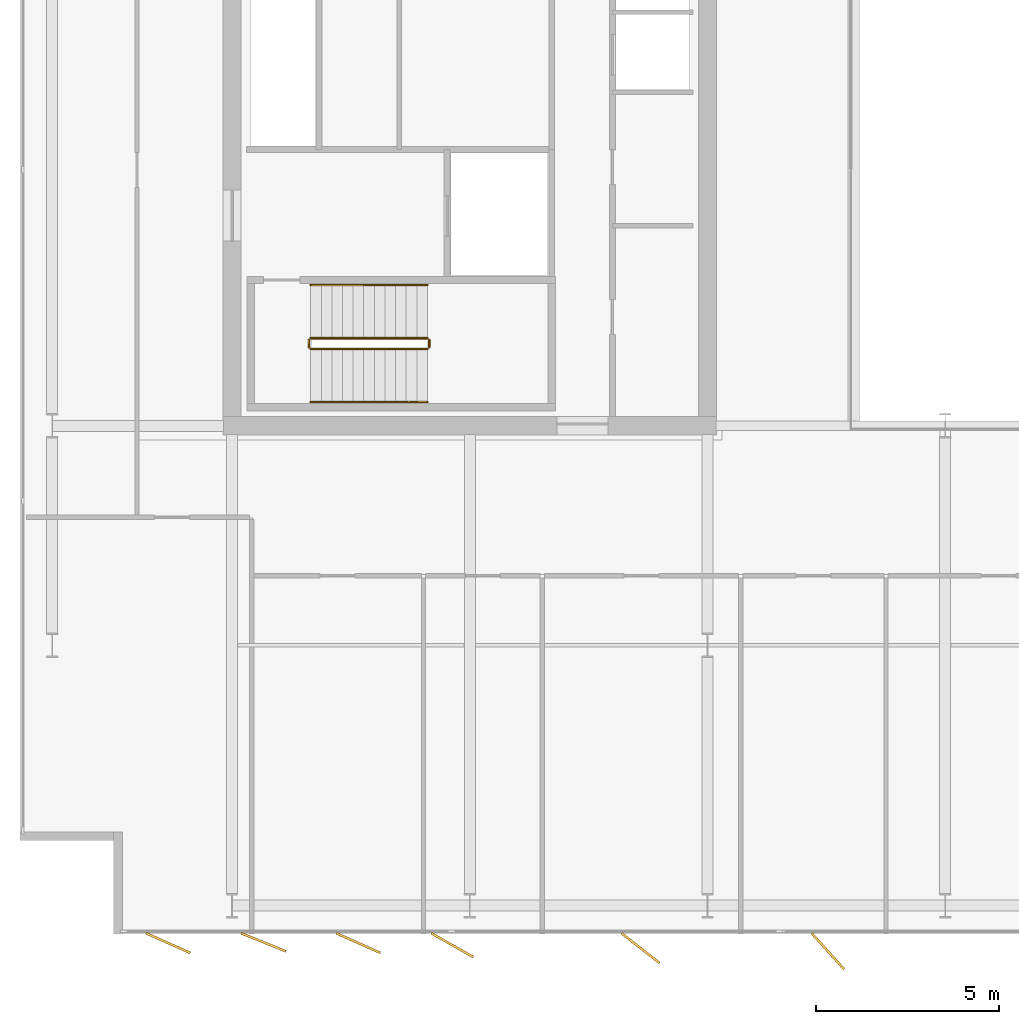
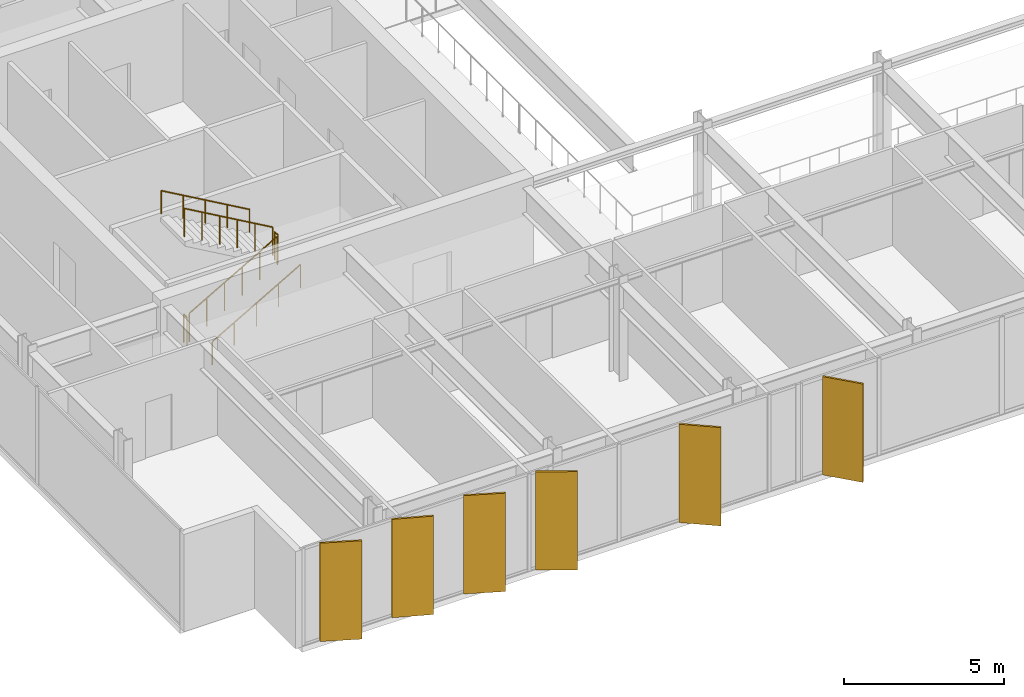
# One storey, part 17 of 20: 6 railings, 6 shading devices.
"""IFC4 building model written with IfcOpenShell, lengths in metres."""

from ifc_helpers import new_model, si_unit, direction, frame, origin, origin_2d, place, context, subcontext, project, spatial, rectangle, circle, extrude, material, layer, layer_set, type_object, element, save


model = new_model("IFC4")

# Units and contexts
model_context = context("Model", 3, precision=1e-05, world=origin(), true_north=direction((0.0, 1.0)))
body_context = subcontext(model_context, "Body", "Model", "MODEL_VIEW")
ifc_project = project(units=[si_unit("LENGTHUNIT", "METRE"), si_unit("AREAUNIT", "SQUARE_METRE"), si_unit("VOLUMEUNIT", "CUBIC_METRE"), si_unit("PLANEANGLEUNIT", "RADIAN"), si_unit("MASSUNIT", "GRAM", prefix="KILO")], contexts=[model_context])

# Site, building, storey
site_placement = place(None, origin())
site = spatial("IfcSite", under=ifc_project, at=site_placement, CompositionType="ELEMENT")
building_placement = place(site_placement, origin())
building = spatial("IfcBuilding", under=site, at=building_placement, Name="Putna Gate Headquarters", CompositionType="ELEMENT")
storey_placement = place(building_placement, frame((0.0, 0.0, 306.39990234375)))
storey = spatial("IfcBuildingStorey", under=building, at=storey_placement, Name="L77", CompositionType="ELEMENT", Elevation=306.39990234375)

# Railings
ifc_material_1 = material(Name="Powder-coated steel stair guardrail", Category="steel")
railing_type_1 = type_object("IfcRailingType", Name="RAIL-STAIR-GUARD-1100", PredefinedType="GUARDRAIL", material=ifc_material_1)
railing_1_placement = place(storey_placement, frame((15.14990234375, 21.10009765625, 0.166748046875)))
element("IfcRailing", 1, at=railing_1_placement, inside=storey, type_object=railing_type_1, Name="L77 ST1 stair guard 1", PredefinedType="GUARDRAIL", context=body_context, shape_type="SweptSolid", body=[
    extrude(circle(Radius=0.02392578125, at=origin_2d()), frame((0.0, 0.0, 1.076171875), z_axis=(0.8670360191, 0.0, 0.498245463184), x_axis=(0.0, 1.0, 0.0)), (0.0, 0.0, 1.0), 3.679443359375),
    extrude(circle(Radius=0.02099609375, at=origin_2d()), origin(), (0.0, 0.0, 1.0), 1.052001953125),
    extrude(circle(Radius=0.02099609375, at=origin_2d()), frame((0.637939453125, 0.0, 0.36669921875)), (0.0, 0.0, 1.0), 1.052001953125),
    extrude(circle(Radius=0.02099609375, at=origin_2d()), frame((1.276123046875, 0.0, 0.7333984375)), (0.0, 0.0, 1.0), 1.052001953125),
    extrude(circle(Radius=0.02099609375, at=origin_2d()), frame((1.9140625, 0.0, 1.099853515625)), (0.0, 0.0, 1.0), 1.052001953125),
    extrude(circle(Radius=0.02099609375, at=origin_2d()), frame((2.55224609375, 0.0, 1.466552734375)), (0.0, 0.0, 1.0), 1.052001953125),
    extrude(circle(Radius=0.02099609375, at=origin_2d()), frame((3.190185546875, 0.0, 1.833251953125)), (0.0, 0.0, 1.0), 1.052001953125),
])
railing_2_placement = place(storey_placement, frame((18.389892578125, 21.14990234375, 2.0)))
element("IfcRailing", 2, at=railing_2_placement, inside=storey, type_object=railing_type_1, Name="L77 ST1 stair guard 2", PredefinedType="GUARDRAIL", context=body_context, shape_type="SweptSolid", body=[
    extrude(circle(Radius=0.02392578125, at=origin_2d()), frame((0.0, 0.0, 1.076171875), z_axis=(0.0, 1.0, 0.0), x_axis=(-1.0, 0.0, 0.0)), (0.0, 0.0, 1.0), 0.2001953125),
    extrude(circle(Radius=0.02099609375, at=origin_2d()), origin(), (0.0, 0.0, 1.0), 1.052001953125),
    extrude(circle(Radius=0.02099609375, at=origin_2d()), frame((0.0, 0.2001953125, 0.0)), (0.0, 0.0, 1.0), 1.052001953125),
])
railing_3_placement = place(storey_placement, frame((18.340087890625, 21.39990234375, 2.166748046875)))
element("IfcRailing", 3, at=railing_3_placement, inside=storey, type_object=railing_type_1, Name="L77 ST1 stair guard 3", PredefinedType="GUARDRAIL", context=body_context, shape_type="SweptSolid", body=[
    extrude(circle(Radius=0.02392578125, at=origin_2d()), frame((0.0, 0.0, 1.076171875), z_axis=(-0.8670360191, 0.0, 0.498245463184), x_axis=(0.0, -1.0, 0.0)), (0.0, 0.0, 1.0), 3.679443359375),
    extrude(circle(Radius=0.02099609375, at=origin_2d()), origin(), (0.0, 0.0, 1.0), 1.052001953125),
    extrude(circle(Radius=0.02099609375, at=origin_2d()), frame((-0.637939453125, 0.0, 0.36669921875)), (0.0, 0.0, 1.0), 1.052001953125),
    extrude(circle(Radius=0.02099609375, at=origin_2d()), frame((-1.276123046875, 0.0, 0.7333984375)), (0.0, 0.0, 1.0), 1.052001953125),
    extrude(circle(Radius=0.02099609375, at=origin_2d()), frame((-1.9140625, 0.0, 1.099853515625)), (0.0, 0.0, 1.0), 1.052001953125),
    extrude(circle(Radius=0.02099609375, at=origin_2d()), frame((-2.55224609375, 0.0, 1.466552734375)), (0.0, 0.0, 1.0), 1.052001953125),
    extrude(circle(Radius=0.02099609375, at=origin_2d()), frame((-3.190185546875, 0.0, 1.833251953125)), (0.0, 0.0, 1.0), 1.052001953125),
])
railing_4_placement = place(storey_placement, frame((15.10009765625, 21.14990234375, 0.0)))
element("IfcRailing", 4, at=railing_4_placement, inside=storey, type_object=railing_type_1, Name="L77 ST1 stair guard 4", PredefinedType="GUARDRAIL", context=body_context, shape_type="SweptSolid", body=[
    extrude(circle(Radius=0.02392578125, at=origin_2d()), frame((0.0, 0.0, 1.076171875), z_axis=(0.0, 1.0, 0.0), x_axis=(-1.0, 0.0, 0.0)), (0.0, 0.0, 1.0), 0.2001953125),
    extrude(circle(Radius=0.02099609375, at=origin_2d()), origin(), (0.0, 0.0, 1.0), 1.052001953125),
    extrude(circle(Radius=0.02099609375, at=origin_2d()), frame((0.0, 0.2001953125, 0.0)), (0.0, 0.0, 1.0), 1.052001953125),
])
ifc_material_2 = material(Name="Brushed stainless steel handrail", Category="steel")
railing_type_2 = type_object("IfcRailingType", Name="RAIL-STAIR-HAND-900", PredefinedType="HANDRAIL", material=ifc_material_2)
railing_5_placement = place(storey_placement, frame((15.14990234375, 19.64990234375, 0.166748046875)))
element("IfcRailing", 5, at=railing_5_placement, inside=storey, type_object=railing_type_2, Name="L77 ST1 stair handrail 1", PredefinedType="HANDRAIL", context=body_context, shape_type="SweptSolid", body=[
    extrude(circle(Radius=0.02392578125, at=origin_2d()), frame((0.0, 0.0, 0.8759765625), z_axis=(0.8670360191, 0.0, 0.498245463184), x_axis=(0.0, 1.0, 0.0)), (0.0, 0.0, 1.0), 3.679443359375),
    extrude(circle(Radius=0.02099609375, at=origin_2d()), origin(), (0.0, 0.0, 1.0), 0.851806640625),
    extrude(circle(Radius=0.02099609375, at=origin_2d()), frame((0.797607421875, 0.0, 0.458251953125)), (0.0, 0.0, 1.0), 0.851806640625),
    extrude(circle(Radius=0.02099609375, at=origin_2d()), frame((1.59521484375, 0.0, 0.91650390625)), (0.0, 0.0, 1.0), 0.851806640625),
    extrude(circle(Radius=0.02099609375, at=origin_2d()), frame((2.392578125, 0.0, 1.375)), (0.0, 0.0, 1.0), 0.851806640625),
    extrude(circle(Radius=0.02099609375, at=origin_2d()), frame((3.190185546875, 0.0, 1.833251953125)), (0.0, 0.0, 1.0), 0.851806640625),
])
railing_6_placement = place(storey_placement, frame((18.340087890625, 22.85009765625, 2.166748046875)))
element("IfcRailing", 6, at=railing_6_placement, inside=storey, type_object=railing_type_2, Name="L77 ST1 stair handrail 2", PredefinedType="HANDRAIL", context=body_context, shape_type="SweptSolid", body=[
    extrude(circle(Radius=0.02392578125, at=origin_2d()), frame((0.0, 0.0, 0.8759765625), z_axis=(-0.8670360191, 0.0, 0.498245463184), x_axis=(0.0, -1.0, 0.0)), (0.0, 0.0, 1.0), 3.679443359375),
    extrude(circle(Radius=0.02099609375, at=origin_2d()), origin(), (0.0, 0.0, 1.0), 0.851806640625),
    extrude(circle(Radius=0.02099609375, at=origin_2d()), frame((-0.797607421875, 0.0, 0.458251953125)), (0.0, 0.0, 1.0), 0.851806640625),
    extrude(circle(Radius=0.02099609375, at=origin_2d()), frame((-1.59521484375, 0.0, 0.91650390625)), (0.0, 0.0, 1.0), 0.851806640625),
    extrude(circle(Radius=0.02099609375, at=origin_2d()), frame((-2.392578125, 0.0, 1.375)), (0.0, 0.0, 1.0), 0.851806640625),
    extrude(circle(Radius=0.02099609375, at=origin_2d()), frame((-3.190185546875, 0.0, 1.833251953125)), (0.0, 0.0, 1.0), 0.851806640625),
])

# Shading devices
ifc_material_3 = material(Name="Anodised architectural bronze aluminium fin", Category="aluminium")
ifc_layer = layer(ifc_material_3, 0.06494140625)
ifc_layer_set = layer_set([ifc_layer], Name="Anodised architectural bronze aluminium fin")
shading_device_type = type_object("IfcShadingDeviceType", Name="SHADE-BRONZE-FIN-1320", PredefinedType="USERDEFINED", material=ifc_layer_set)
for number, where, z_axis, x_axis, name in (
    (7, (11.2529296875, 4.856689453125, -0.02001953125), (0.0, 0.0, 1.0), (0.913687379856, -0.40641773078, 0.0), "L77 Bronze Vertical Shading Fin S1"),
    (8, (13.86181640625, 4.877685546875, -0.02001953125), (0.0, 0.0, 1.0), (0.927183854567, -0.374606593416, 0.0), "L77 Bronze Vertical Shading Fin S2"),
    (9, (16.452880859375, 4.856689453125, -0.02001953125), (0.0, 0.0, 1.0), (0.913687379856, -0.40641773078, 0.0), "L77 Bronze Vertical Shading Fin S3"),
    (10, (19.023681640625, 4.798828125, -0.02001953125), (0.0, 0.0, 1.0), (0.869322458298, -0.494245347472, 0.0), "L77 Bronze Vertical Shading Fin S4"),
    (11, (24.169677734375, 4.71826171875, -0.02001953125), (0.0, 0.0, 1.0), (0.787473187632, -0.616348909921, 0.0), "L77 Bronze Vertical Shading Fin S5"),
    (12, (29.29150390625, 4.634521484375, -0.02001953125), (0.0, 0.0, 1.0), (0.669130606359, -0.743144825477, 0.0), "L77 Bronze Vertical Shading Fin S6"),
):
    element("IfcShadingDevice", number, at=place(storey_placement, frame(where, z_axis=z_axis, x_axis=x_axis)), inside=storey, type_object=shading_device_type, Name=name, ObjectType="FIN", PredefinedType="USERDEFINED", context=body_context, shape_type="SweptSolid", body=[
        extrude(rectangle(XDim=1.320068359375, YDim=0.06494140625, at=origin_2d()), origin(), (0.0, 0.0, 1.0), 3.760009765625),
    ])

save(model, "model.ifc")
